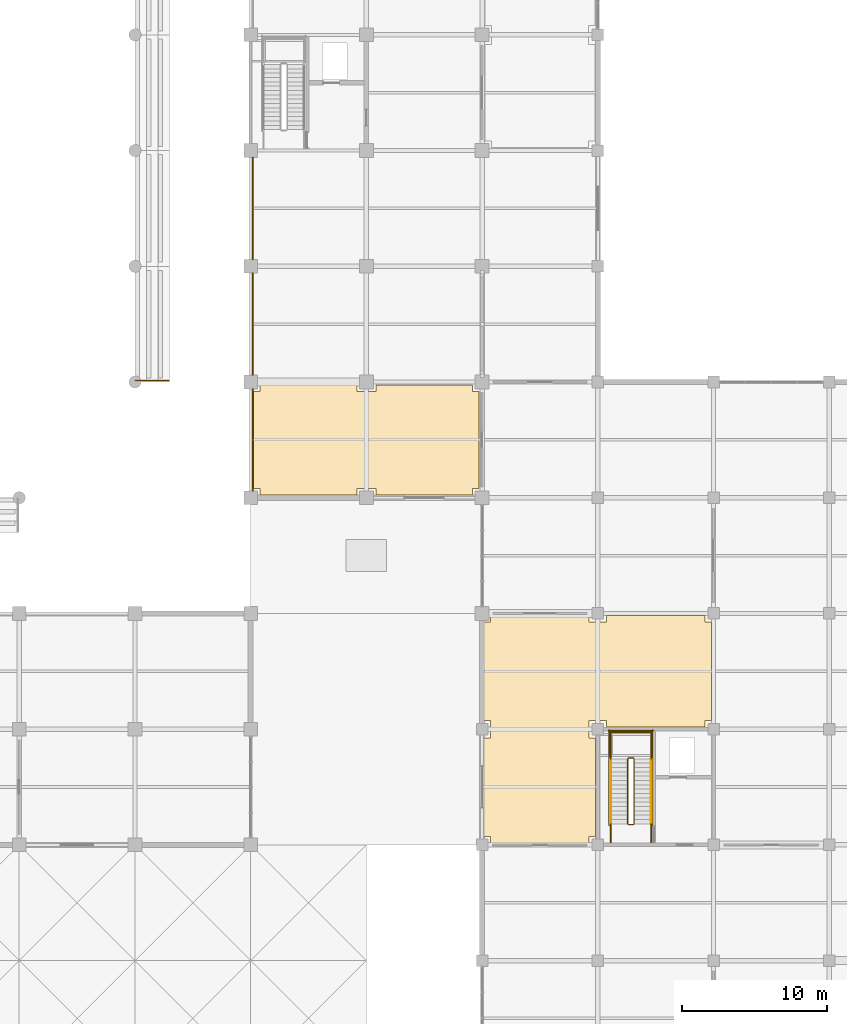
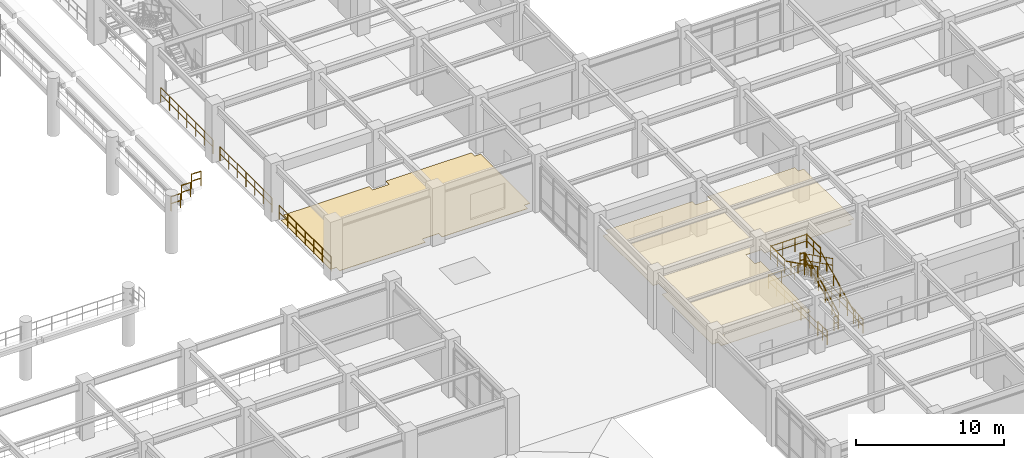
# One storey, part 100 of 109: 20 railings, 2 coverings.
"""IFC4 building model written with IfcOpenShell, lengths in metres."""

import ifcopenshell
import ifcopenshell.guid

model = None  # the IFC model being written
_history = None  # IfcOwnerHistory: only IFC2X3 demands one
_inside = {}  # id of a spatial element -> (the spatial element, [elements in it])
_under = {}  # id of a project, library or spatial element -> (it, [spatial elements below it])
_declared = {}  # id of a project -> (the project, [libraries it declares])
_typed = {}  # id of a type object -> (the type object, [elements of that type])
_made_of = {}  # id of a material, layer set ... -> (it, [elements and type objects made of it])


def new_model(schema):
    """Start an empty IFC model of exactly this schema.

    Asked for "IFC4X3", IfcOpenShell would pick the latest addendum, in which some entities
    have other attributes; the version numbers below select the first issue.
    IFC2X3 requires an IfcOwnerHistory on every rooted entity: one is made here for all.
    """
    global model, _history
    if schema == "IFC4X3":
        model = ifcopenshell.file(schema_version=(4, 3, 0, 0))
    else:
        model = ifcopenshell.file(schema=schema)
    _inside.clear()
    _under.clear()
    _declared.clear()
    _typed.clear()
    _made_of.clear()
    _history = None
    if model.schema == "IFC2X3":
        org = make("IfcOrganization", Name="unknown")
        user = make(
            "IfcPersonAndOrganization",
            ThePerson=make("IfcPerson", FamilyName="unknown"),
            TheOrganization=org,
        )
        app = make(
            "IfcApplication",
            ApplicationDeveloper=org,
            Version="unknown",
            ApplicationFullName="unknown",
            ApplicationIdentifier="unknown",
        )
        _history = make(
            "IfcOwnerHistory",
            OwningUser=user,
            OwningApplication=app,
            ChangeAction="ADDED",
            CreationDate=0,
        )
    return model


def make(cls, **values):
    """One entity of the class cls with the attributes given. An attribute that is None is left unset."""
    return model.create_entity(
        cls, **{name: value for name, value in values.items() if value is not None}
    )


def rooted(cls, **values):
    """An entity with a GlobalId (a new one), such as an element, a storey or a relation."""
    return make(cls, GlobalId=ifcopenshell.guid.new(), OwnerHistory=_history, **values)


def si_unit(unit_type, name, prefix=None):
    """IfcSIUnit, for example si_unit("LENGTHUNIT", "METRE", prefix="MILLI")."""
    return make("IfcSIUnit", UnitType=unit_type, Prefix=prefix, Name=name)


def assignment(units):
    """IfcUnitAssignment: the units of a project."""
    return None if units is None else make("IfcUnitAssignment", Units=units)


def point(xyz):
    """IfcCartesianPoint."""
    return None if xyz is None else make("IfcCartesianPoint", Coordinates=xyz)


def direction(xyz):
    """IfcDirection."""
    return None if xyz is None else make("IfcDirection", DirectionRatios=xyz)


def frame(location, z_axis=None, x_axis=None):
    """IfcAxis2Placement3D, a coordinate frame: its origin and axes. An axis left out is left unset."""
    return make(
        "IfcAxis2Placement3D",
        Location=point(location),
        Axis=direction(z_axis),
        RefDirection=direction(x_axis),
    )


def frame_2d(location, x_axis=None):
    """IfcAxis2Placement2D, a coordinate frame in the plane: its origin and x axis."""
    return make(
        "IfcAxis2Placement2D", Location=point(location), RefDirection=direction(x_axis)
    )


def origin():
    """The frame at (0, 0, 0) with its axes left unset."""
    return frame((0.0, 0.0, 0.0))


def origin_2d():
    """The frame at (0, 0) in the plane with its x axis left unset."""
    return frame_2d((0.0, 0.0))


def place(relative_to, where):
    """IfcLocalPlacement: puts the frame where relative to a parent placement (None: the world)."""
    return make(
        "IfcLocalPlacement", PlacementRelTo=relative_to, RelativePlacement=where
    )


def context(
    kind, dimensions, precision=None, world=None, true_north=None, identifier=None
):
    """IfcGeometricRepresentationContext, for example the 3D "Model" context."""
    return make(
        "IfcGeometricRepresentationContext",
        ContextIdentifier=identifier,
        ContextType=kind,
        CoordinateSpaceDimension=dimensions,
        Precision=precision,
        WorldCoordinateSystem=world,
        TrueNorth=true_north,
    )


def subcontext(parent, identifier, kind, view, scale=None):
    """IfcGeometricRepresentationSubContext, for example "Body" below "Model"."""
    return make(
        "IfcGeometricRepresentationSubContext",
        ContextIdentifier=identifier,
        ContextType=kind,
        ParentContext=parent,
        TargetScale=scale,
        TargetView=view,
    )


def project(units=None, contexts=None):
    """IfcProject with its units and contexts."""
    return rooted(
        "IfcProject",
        Name="project",
        RepresentationContexts=contexts,
        UnitsInContext=assignment(units),
    )


def spatial(cls, under=None, at=None, **own):
    """A site, building, storey or space (cls), placed at a placement, below another one or the project."""
    s = rooted(cls, ObjectPlacement=at, **own)
    if under is not None:
        _under.setdefault(under.id(), (under, []))[1].append(s)
    return s


def polyline(points):
    """IfcPolyline through the points."""
    return make("IfcPolyline", Points=[point(p) for p in points])


def profile(cls, at=None, kind="AREA", **sizes):
    """A parametric profile (cls). Its sizes go by their IFC names, for example OverallWidth=200.0."""
    return make(cls, ProfileType=kind, Position=at, **sizes)


def circle(**sizes):
    """IfcCircleProfileDef."""
    return profile("IfcCircleProfileDef", **sizes)


def outline(outer, holes=None, kind="AREA"):
    """IfcArbitraryClosedProfileDef: a profile drawn as a closed curve; with holes, ...WithVoids."""
    if holes is None:
        return make("IfcArbitraryClosedProfileDef", ProfileType=kind, OuterCurve=outer)
    return make(
        "IfcArbitraryProfileDefWithVoids",
        ProfileType=kind,
        OuterCurve=outer,
        InnerCurves=holes,
    )


def extrude(swept, where, along, depth):
    """IfcExtrudedAreaSolid: the profile swept, set in the frame where, extruded along a direction by depth."""
    return make(
        "IfcExtrudedAreaSolid",
        SweptArea=swept,
        Position=where,
        ExtrudedDirection=direction(along),
        Depth=depth,
    )


def shape(context_of_items, identifier, shape_type, items):
    """IfcShapeRepresentation: the items that make up one representation, for example the "Body"."""
    return make(
        "IfcShapeRepresentation",
        ContextOfItems=context_of_items,
        RepresentationIdentifier=identifier,
        RepresentationType=shape_type,
        Items=items,
    )


def material(Name=None, Category=None):
    """IfcMaterial."""
    return make("IfcMaterial", Name=Name, Category=Category)


def layer(
    of_material, thickness, ventilated=None, Name=None, Category=None, Priority=None
):
    """IfcMaterialLayer: one layer of a wall or slab, of a material (None: an air gap)."""
    return make(
        "IfcMaterialLayer",
        Material=of_material,
        LayerThickness=thickness,
        IsVentilated=ventilated,
        Name=Name,
        Category=Category,
        Priority=Priority,
    )


def layer_set(layers, Name=None):
    """IfcMaterialLayerSet."""
    return make("IfcMaterialLayerSet", MaterialLayers=layers, LayerSetName=Name)


def made_of(thing, what):
    """Note that an element or type object is made of a material, layer set ...; save() writes the relation."""
    if what is not None:
        _made_of.setdefault(what.id(), (what, []))[1].append(thing)
    return thing


def type_object(cls, material=None, **own):
    """A type object (cls), such as IfcWallType, which elements share."""
    return made_of(rooted(cls, **own), material)


def element(
    cls,
    number,
    at=None,
    inside=None,
    cuts=None,
    type_object=None,
    material=None,
    context=None,
    identifier="Body",
    shape_type=None,
    held_by="IfcProductDefinitionShape",
    body=None,
    shapes=None,
    **own,
):
    """One element of the class cls, such as IfcWall. Its Tag is "e" and its number.

    at: its placement. inside: the storey or other place that contains it. cuts: it is an
    opening in that element (IfcRelVoidsElement). A single representation is given by context,
    identifier, shape_type and body (its items); several are given by shapes. held_by: the class
    of the entity that holds the representations. save() writes the other relations.
    """
    e = rooted(cls, Tag="e%d" % number, ObjectPlacement=at, **own)
    if body is not None:
        shapes = [shape(context, identifier, shape_type, body)]
    if shapes is not None:
        e.Representation = make(held_by, Representations=shapes)
    if inside is not None:
        _inside.setdefault(inside.id(), (inside, []))[1].append(e)
    if cuts is not None:
        rooted(
            "IfcRelVoidsElement", RelatingBuildingElement=cuts, RelatedOpeningElement=e
        )
    if type_object is not None:
        _typed.setdefault(type_object.id(), (type_object, []))[1].append(e)
    return made_of(e, material)


def aggregate(whole, parts):
    """IfcRelAggregates: a whole, such as a stair, and the parts it consists of."""
    return rooted("IfcRelAggregates", RelatingObject=whole, RelatedObjects=parts)


def save(model, path):
    """Write the relations noted so far, then the file.

    IfcRelAggregates (storeys below a building ...), IfcRelContainedInSpatialStructure (elements
    in a storey), IfcRelDefinesByType, IfcRelAssociatesMaterial and IfcRelDeclares: one each for
    every whole, place, type object, material and project.
    """
    for whole, parts in _under.values():
        aggregate(whole, parts)
    for where, things in _inside.values():
        rooted(
            "IfcRelContainedInSpatialStructure",
            RelatedElements=things,
            RelatingStructure=where,
        )
    for kind, things in _typed.values():
        rooted("IfcRelDefinesByType", RelatedObjects=things, RelatingType=kind)
    for what, things in _made_of.values():
        rooted("IfcRelAssociatesMaterial", RelatedObjects=things, RelatingMaterial=what)
    for by, libraries in _declared.values():
        rooted("IfcRelDeclares", RelatingContext=by, RelatedDefinitions=libraries)
    model.write(path)


model = new_model("IFC4")

# Units and contexts
model_context = context("Model", 3, precision=1e-05, world=origin(), true_north=direction((0.0, 1.0)))
body_context = subcontext(model_context, "Body", "Model", "MODEL_VIEW")
ifc_project = project(units=[si_unit("LENGTHUNIT", "METRE"), si_unit("AREAUNIT", "SQUARE_METRE"), si_unit("VOLUMEUNIT", "CUBIC_METRE"), si_unit("PLANEANGLEUNIT", "RADIAN"), si_unit("MASSUNIT", "GRAM", prefix="KILO")], contexts=[model_context])

# Site, building, storey
site_placement = place(None, origin())
site = spatial("IfcSite", under=ifc_project, at=site_placement, CompositionType="ELEMENT")
building_placement = place(site_placement, origin())
building = spatial("IfcBuilding", under=site, at=building_placement, Name="Haebicheon Civic Stadium", CompositionType="ELEMENT")
storey_placement = place(building_placement, frame((0.0, 0.0, 9.60009765625)))
storey = spatial("IfcBuildingStorey", under=building, at=storey_placement, Name="L03", CompositionType="ELEMENT", Elevation=9.60009765625)

# Coverings
ifc_material_1 = material(Name="Perforated mineral-fibre acoustic board", Category="gypsum")
ifc_layer_1 = layer(ifc_material_1, 0.0400390625, Name="Perforated mineral-fibre acoustic board")
ifc_layer_set_1 = layer_set([ifc_layer_1], Name="Perforated mineral-fibre acoustic board")
covering_type_1 = type_object("IfcCoveringType", Name="COV-CLG-AC", PredefinedType="CEILING", material=ifc_layer_set_1)
covering_1_placement = place(storey_placement, frame((0.0, 0.0, 2.809814453125)))
element("IfcCovering", 1, at=covering_1_placement, inside=storey, type_object=covering_type_1, material=ifc_layer_set_1, Name="L03 Civic Banquet Hall acoustic ceiling", PredefinedType="CEILING", context=body_context, shape_type="SweptSolid", body=[
    extrude(outline(polyline([(160.594970703125, 16.14501953125), (160.594970703125, 16.594970703125), (160.14501953125, 16.594970703125), (160.14501953125, 23.405029296875), (160.594970703125, 23.405029296875), (160.594970703125, 24.594970703125), (160.14501953125, 24.594970703125), (160.14501953125, 31.405029296875), (160.594970703125, 31.405029296875), (160.594970703125, 31.85498046875), (167.405029296875, 31.85498046875), (167.405029296875, 31.405029296875), (168.594970703125, 31.405029296875), (168.594970703125, 31.85498046875), (175.405029296875, 31.85498046875), (175.405029296875, 31.405029296875), (175.85498046875, 31.405029296875), (175.85498046875, 24.594970703125), (175.405029296875, 24.594970703125), (175.405029296875, 24.14501953125), (168.594970703125, 24.14501953125), (168.594970703125, 24.594970703125), (167.405029296875, 24.594970703125), (167.405029296875, 23.405029296875), (167.85498046875, 23.405029296875), (167.85498046875, 16.594970703125), (167.405029296875, 16.594970703125), (167.405029296875, 16.14501953125), (160.594970703125, 16.14501953125)])), origin(), (0.0, 0.0, 1.0), 0.0400390625),
])
ifc_material_2 = material(Name="Quartz epoxy resin mortar", Category="concrete")
ifc_layer_2 = layer(ifc_material_2, 0.030029296875, Name="Quartz epoxy resin mortar")
ifc_layer_set_2 = layer_set([ifc_layer_2], Name="Quartz epoxy resin mortar")
covering_type_2 = type_object("IfcCoveringType", Name="COV-FLR-EPX", PredefinedType="FLOORING", material=ifc_layer_set_2)
covering_2_placement = place(storey_placement, origin())
element("IfcCovering", 2, at=covering_2_placement, inside=storey, type_object=covering_type_2, material=ifc_layer_set_2, Name="L03 East Bowl Club Concourse non-slip floor finish", PredefinedType="FLOORING", context=body_context, shape_type="SweptSolid", body=[
    extrude(outline(polyline([(144.199951171875, 47.35009765625), (144.64990234375, 47.35009765625), (144.64990234375, 47.800048828125), (151.35009765625, 47.800048828125), (151.35009765625, 47.35009765625), (152.64990234375, 47.35009765625), (152.64990234375, 47.800048828125), (159.35009765625, 47.800048828125), (159.35009765625, 47.35009765625), (159.800048828125, 47.35009765625), (159.800048828125, 40.64990234375), (159.35009765625, 40.64990234375), (159.35009765625, 40.199951171875), (152.64990234375, 40.199951171875), (152.64990234375, 40.64990234375), (151.35009765625, 40.64990234375), (151.35009765625, 40.199951171875), (144.64990234375, 40.199951171875), (144.64990234375, 40.64990234375), (144.199951171875, 40.64990234375), (144.199951171875, 47.35009765625)])), origin(), (0.0, 0.0, 1.0), 0.02978515625),
])

# Railings
ifc_material_3 = material(Name="Stainless steel 316 and laminated glass", Category="steel")
railing_type_1 = type_object("IfcRailingType", Name="RL-BAL-1200", PredefinedType="BALUSTRADE", material=ifc_material_3)
for number, where, name in (
    (3, (144.139892578125, 40.47509765625, 0.0), "L03 concourse bowl-edge balustrade 071"),
    (4, (144.139892578125, 48.47509765625, 0.0), "L03 concourse bowl-edge balustrade 072"),
    (5, (144.139892578125, 56.47509765625, 0.0), "L03 concourse bowl-edge balustrade 073"),
):
    element("IfcRailing", number, at=place(storey_placement, frame(where)), inside=storey, type_object=railing_type_1, material=ifc_material_3, Name=name, PredefinedType="BALUSTRADE", context=body_context, shape_type="SweptSolid", body=[
        extrude(circle(Radius=0.02392578125, at=origin_2d()), frame((0.0, 0.0, 1.17578125), z_axis=(0.0, 1.0, 0.0), x_axis=(-1.0, 0.0, 0.0)), (0.0, 0.0, 1.0), 7.0498046875),
        extrude(circle(Radius=0.02392578125, at=origin_2d()), frame((0.0, 0.0, 0.60009765625), z_axis=(0.0, 1.0, 0.0), x_axis=(-1.0, 0.0, 0.0)), (0.0, 0.0, 1.0), 7.0498046875),
        extrude(circle(Radius=0.02099609375, at=origin_2d()), origin(), (0.0, 0.0, 1.0), 1.15185546875),
        extrude(circle(Radius=0.02099609375, at=origin_2d()), frame((0.0, 1.175048828125, 0.0)), (0.0, 0.0, 1.0), 1.15185546875),
        extrude(circle(Radius=0.02099609375, at=origin_2d()), frame((0.0, 2.349853515625, 0.0)), (0.0, 0.0, 1.0), 1.15185546875),
        extrude(circle(Radius=0.02099609375, at=origin_2d()), frame((0.0, 3.52490234375, 0.0)), (0.0, 0.0, 1.0), 1.15185546875),
        extrude(circle(Radius=0.02099609375, at=origin_2d()), frame((0.0, 4.699951171875, 0.0)), (0.0, 0.0, 1.0), 1.15185546875),
        extrude(circle(Radius=0.02099609375, at=origin_2d()), frame((0.0, 5.874755859375, 0.0)), (0.0, 0.0, 1.0), 1.15185546875),
        extrude(circle(Radius=0.02099609375, at=origin_2d()), frame((0.0, 7.0498046875, 0.0)), (0.0, 0.0, 1.0), 1.15185546875),
    ])
for number, where, name in (
    (6, (136.0400390625, 48.10009765625, 3.199951171875), "TIER-E-U end-aisle side guard S.1"),
    (7, (136.840087890625, 48.10009765625, 3.843994140625), "TIER-E-U end-aisle side guard S.2"),
):
    element("IfcRailing", number, at=place(storey_placement, frame(where)), inside=storey, type_object=railing_type_1, material=ifc_material_3, Name=name, PredefinedType="BALUSTRADE", context=body_context, shape_type="SweptSolid", body=[
        extrude(circle(Radius=0.02392578125, at=origin_2d()), frame((0.0, 0.0, 1.17578125), z_axis=(1.0, 0.0, 0.0), x_axis=(0.0, 1.0, 0.0)), (0.0, 0.0, 1.0), 0.719970703125),
        extrude(circle(Radius=0.02392578125, at=origin_2d()), frame((0.0, 0.0, 0.60009765625), z_axis=(1.0, 0.0, 0.0), x_axis=(0.0, 1.0, 0.0)), (0.0, 0.0, 1.0), 0.719970703125),
        extrude(circle(Radius=0.02099609375, at=origin_2d()), origin(), (0.0, 0.0, 1.0), 1.15185546875),
        extrude(circle(Radius=0.02099609375, at=origin_2d()), frame((0.719970703125, 0.0, 0.0)), (0.0, 0.0, 1.0), 1.15185546875),
    ])
railing_1_placement = place(storey_placement, frame((137.639892578125, 48.10009765625, 4.489013671875)))
element("IfcRailing", 8, at=railing_1_placement, inside=storey, type_object=railing_type_1, material=ifc_material_3, Name="TIER-E-U end-aisle side guard S.3", PredefinedType="BALUSTRADE", context=body_context, shape_type="SweptSolid", body=[
    extrude(circle(Radius=0.02392578125, at=origin_2d()), frame((0.0, 0.0, 1.17578125), z_axis=(1.0, 0.0, 0.0), x_axis=(0.0, 1.0, 0.0)), (0.0, 0.0, 1.0), 0.72021484375),
    extrude(circle(Radius=0.02392578125, at=origin_2d()), frame((0.0, 0.0, 0.60009765625), z_axis=(1.0, 0.0, 0.0), x_axis=(0.0, 1.0, 0.0)), (0.0, 0.0, 1.0), 0.72021484375),
    extrude(circle(Radius=0.02099609375, at=origin_2d()), origin(), (0.0, 0.0, 1.0), 1.15185546875),
    extrude(circle(Radius=0.02099609375, at=origin_2d()), frame((0.72021484375, 0.0, 0.0)), (0.0, 0.0, 1.0), 1.15185546875),
])
ifc_material_4 = material(Name="Galvanised painted steel SM355", Category="steel")
railing_type_2 = type_object("IfcRailingType", Name="RL-GRD-1150", PredefinedType="GUARDRAIL", material=ifc_material_4)
railing_2_placement = place(storey_placement, frame((170.510009765625, 17.449951171875, 0.14990234375)))
element("IfcRailing", 9, at=railing_2_placement, inside=storey, type_object=railing_type_2, material=ifc_material_4, Name="L03 ST-14 stair guard 1", PredefinedType="GUARDRAIL", context=body_context, shape_type="SweptSolid", body=[
    extrude(circle(Radius=0.02392578125, at=origin_2d()), frame((0.0, 0.0, 1.1259765625), z_axis=(0.0, 0.894427191, 0.4472135955), x_axis=(-1.0, 0.0, 0.0)), (0.0, 0.0, 1.0), 5.03125),
    extrude(circle(Radius=0.02392578125, at=origin_2d()), frame((0.0, 0.0, 0.574951171875), z_axis=(0.0, 0.894427191, 0.4472135955), x_axis=(-1.0, 0.0, 0.0)), (0.0, 0.0, 1.0), 5.03125),
    extrude(circle(Radius=0.02099609375, at=origin_2d()), origin(), (0.0, 0.0, 1.0), 1.101806640625),
    extrude(circle(Radius=0.02099609375, at=origin_2d()), frame((0.0, 0.89990234375, 0.449951171875)), (0.0, 0.0, 1.0), 1.101806640625),
    extrude(circle(Radius=0.02099609375, at=origin_2d()), frame((0.0, 1.800048828125, 0.89990234375)), (0.0, 0.0, 1.0), 1.101806640625),
    extrude(circle(Radius=0.02099609375, at=origin_2d()), frame((0.0, 2.699951171875, 1.35009765625)), (0.0, 0.0, 1.0), 1.101806640625),
    extrude(circle(Radius=0.02099609375, at=origin_2d()), frame((0.0, 3.60009765625, 1.800048828125)), (0.0, 0.0, 1.0), 1.101806640625),
    extrude(circle(Radius=0.02099609375, at=origin_2d()), frame((0.0, 4.5, 2.25)), (0.0, 0.0, 1.0), 1.101806640625),
])
railing_3_placement = place(storey_placement, frame((170.4599609375, 22.0, 2.39990234375)))
element("IfcRailing", 10, at=railing_3_placement, inside=storey, type_object=railing_type_2, material=ifc_material_4, Name="L03 ST-14 stair guard 2", PredefinedType="GUARDRAIL", context=body_context, shape_type="SweptSolid", body=[
    extrude(circle(Radius=0.02392578125, at=origin_2d()), frame((0.0, 0.0, 1.1259765625), z_axis=(-1.0, 0.0, 0.0), x_axis=(0.0, -1.0, 0.0)), (0.0, 0.0, 1.0), 0.33984375),
    extrude(circle(Radius=0.02392578125, at=origin_2d()), frame((0.0, 0.0, 0.574951171875), z_axis=(-1.0, 0.0, 0.0), x_axis=(0.0, -1.0, 0.0)), (0.0, 0.0, 1.0), 0.33984375),
    extrude(circle(Radius=0.02099609375, at=origin_2d()), origin(), (0.0, 0.0, 1.0), 1.101806640625),
    extrude(circle(Radius=0.02099609375, at=origin_2d()), frame((-0.33984375, 0.0, 0.0)), (0.0, 0.0, 1.0), 1.101806640625),
])
for number, where, name in (
    (11, (171.68994140625, 21.949951171875, 2.39990234375), "L03 ST-14 stair guard 3"),
    (12, (168.889892578125, 21.949951171875, 2.39990234375), "L03 ST-14 stair guard 4"),
):
    element("IfcRailing", number, at=place(storey_placement, frame(where)), inside=storey, type_object=railing_type_2, material=ifc_material_4, Name=name, PredefinedType="GUARDRAIL", context=body_context, shape_type="SweptSolid", body=[
        extrude(circle(Radius=0.02392578125, at=origin_2d()), frame((0.0, 0.0, 1.1259765625), z_axis=(0.0, 1.0, 0.0), x_axis=(-1.0, 0.0, 0.0)), (0.0, 0.0, 1.0), 1.89013671875),
        extrude(circle(Radius=0.02392578125, at=origin_2d()), frame((0.0, 0.0, 0.574951171875), z_axis=(0.0, 1.0, 0.0), x_axis=(-1.0, 0.0, 0.0)), (0.0, 0.0, 1.0), 1.89013671875),
        extrude(circle(Radius=0.02099609375, at=origin_2d()), origin(), (0.0, 0.0, 1.0), 1.101806640625),
        extrude(circle(Radius=0.02099609375, at=origin_2d()), frame((0.0, 0.945068359375, 0.0)), (0.0, 0.0, 1.0), 1.101806640625),
        extrude(circle(Radius=0.02099609375, at=origin_2d()), frame((0.0, 1.89013671875, 0.0)), (0.0, 0.0, 1.0), 1.101806640625),
    ])
railing_4_placement = place(storey_placement, frame((171.739990234375, 23.7900390625, 2.39990234375)))
element("IfcRailing", 13, at=railing_4_placement, inside=storey, type_object=railing_type_2, material=ifc_material_4, Name="L03 ST-14 stair guard 5", PredefinedType="GUARDRAIL", context=body_context, shape_type="SweptSolid", body=[
    extrude(circle(Radius=0.02392578125, at=origin_2d()), frame((0.0, 0.0, 1.1259765625), z_axis=(-1.0, 0.0, 0.0), x_axis=(0.0, -1.0, 0.0)), (0.0, 0.0, 1.0), 2.89990234375),
    extrude(circle(Radius=0.02392578125, at=origin_2d()), frame((0.0, 0.0, 0.574951171875), z_axis=(-1.0, 0.0, 0.0), x_axis=(0.0, -1.0, 0.0)), (0.0, 0.0, 1.0), 2.89990234375),
    extrude(circle(Radius=0.02099609375, at=origin_2d()), origin(), (0.0, 0.0, 1.0), 1.101806640625),
    extrude(circle(Radius=0.02099609375, at=origin_2d()), frame((-0.966552734375, 0.0, 0.0)), (0.0, 0.0, 1.0), 1.101806640625),
    extrude(circle(Radius=0.02099609375, at=origin_2d()), frame((-1.933349609375, 0.0, 0.0)), (0.0, 0.0, 1.0), 1.101806640625),
    extrude(circle(Radius=0.02099609375, at=origin_2d()), frame((-2.89990234375, 0.0, 0.0)), (0.0, 0.0, 1.0), 1.101806640625),
])
railing_5_placement = place(storey_placement, frame((170.070068359375, 21.949951171875, 2.5498046875)))
element("IfcRailing", 14, at=railing_5_placement, inside=storey, type_object=railing_type_2, material=ifc_material_4, Name="L03 ST-14 stair guard 6", PredefinedType="GUARDRAIL", context=body_context, shape_type="SweptSolid", body=[
    extrude(circle(Radius=0.02392578125, at=origin_2d()), frame((0.0, 0.0, 1.1259765625), z_axis=(0.0, -0.894427191, 0.4472135955), x_axis=(1.0, 0.0, 0.0)), (0.0, 0.0, 1.0), 5.03125),
    extrude(circle(Radius=0.02392578125, at=origin_2d()), frame((0.0, 0.0, 0.574951171875), z_axis=(0.0, -0.894427191, 0.4472135955), x_axis=(1.0, 0.0, 0.0)), (0.0, 0.0, 1.0), 5.03125),
    extrude(circle(Radius=0.02099609375, at=origin_2d()), origin(), (0.0, 0.0, 1.0), 1.101806640625),
    extrude(circle(Radius=0.02099609375, at=origin_2d()), frame((0.0, -0.89990234375, 0.449951171875)), (0.0, 0.0, 1.0), 1.101806640625),
    extrude(circle(Radius=0.02099609375, at=origin_2d()), frame((0.0, -1.800048828125, 0.89990234375)), (0.0, 0.0, 1.0), 1.101806640625),
    extrude(circle(Radius=0.02099609375, at=origin_2d()), frame((0.0, -2.699951171875, 1.35009765625)), (0.0, 0.0, 1.0), 1.101806640625),
    extrude(circle(Radius=0.02099609375, at=origin_2d()), frame((0.0, -3.60009765625, 1.800048828125)), (0.0, 0.0, 1.0), 1.101806640625),
    extrude(circle(Radius=0.02099609375, at=origin_2d()), frame((0.0, -4.5, 2.25)), (0.0, 0.0, 1.0), 1.101806640625),
])
railing_6_placement = place(storey_placement, frame((170.4599609375, 17.39990234375, 0.0)))
element("IfcRailing", 15, at=railing_6_placement, inside=storey, type_object=railing_type_2, material=ifc_material_4, Name="L03 ST-14 stair guard 7", PredefinedType="GUARDRAIL", context=body_context, shape_type="SweptSolid", body=[
    extrude(circle(Radius=0.02392578125, at=origin_2d()), frame((0.0, 0.0, 1.1259765625), z_axis=(-1.0, 0.0, 0.0), x_axis=(0.0, -1.0, 0.0)), (0.0, 0.0, 1.0), 0.33984375),
    extrude(circle(Radius=0.02392578125, at=origin_2d()), frame((0.0, 0.0, 0.574951171875), z_axis=(-1.0, 0.0, 0.0), x_axis=(0.0, -1.0, 0.0)), (0.0, 0.0, 1.0), 0.33984375),
    extrude(circle(Radius=0.02099609375, at=origin_2d()), origin(), (0.0, 0.0, 1.0), 1.101806640625),
    extrude(circle(Radius=0.02099609375, at=origin_2d()), frame((-0.33984375, 0.0, 0.0)), (0.0, 0.0, 1.0), 1.101806640625),
])
for number, where, name in (
    (16, (171.68994140625, 16.159912109375, 0.0), "L03 ST-14 stair guard 8"),
    (17, (168.889892578125, 16.159912109375, 0.0), "L03 ST-14 stair guard 9"),
):
    element("IfcRailing", number, at=place(storey_placement, frame(where)), inside=storey, type_object=railing_type_2, material=ifc_material_4, Name=name, PredefinedType="GUARDRAIL", context=body_context, shape_type="SweptSolid", body=[
        extrude(circle(Radius=0.02392578125, at=origin_2d()), frame((0.0, 0.0, 1.1259765625), z_axis=(0.0, 1.0, 0.0), x_axis=(-1.0, 0.0, 0.0)), (0.0, 0.0, 1.0), 1.2900390625),
        extrude(circle(Radius=0.02392578125, at=origin_2d()), frame((0.0, 0.0, 0.574951171875), z_axis=(0.0, 1.0, 0.0), x_axis=(-1.0, 0.0, 0.0)), (0.0, 0.0, 1.0), 1.2900390625),
        extrude(circle(Radius=0.02099609375, at=origin_2d()), origin(), (0.0, 0.0, 1.0), 1.101806640625),
        extrude(circle(Radius=0.02099609375, at=origin_2d()), frame((0.0, 0.64501953125, 0.0)), (0.0, 0.0, 1.0), 1.101806640625),
        extrude(circle(Radius=0.02099609375, at=origin_2d()), frame((0.0, 1.2900390625, 0.0)), (0.0, 0.0, 1.0), 1.101806640625),
    ])
for number, where, name in (
    (18, (171.7900390625, 17.35009765625, 0.0), "L03 ST-14 stair guard 10"),
    (19, (168.7900390625, 17.35009765625, 0.0), "L03 ST-14 stair guard 11"),
):
    element("IfcRailing", number, at=place(storey_placement, frame(where)), inside=storey, type_object=railing_type_2, material=ifc_material_4, Name=name, PredefinedType="GUARDRAIL", context=body_context, shape_type="SweptSolid", body=[
        extrude(circle(Radius=0.02392578125, at=origin_2d()), frame((0.0, 0.0, 1.1259765625), z_axis=(0.0, 1.0, 0.0), x_axis=(-1.0, 0.0, 0.0)), (0.0, 0.0, 1.0), 6.58984375),
        extrude(circle(Radius=0.02392578125, at=origin_2d()), frame((0.0, 0.0, 0.574951171875), z_axis=(0.0, 1.0, 0.0), x_axis=(-1.0, 0.0, 0.0)), (0.0, 0.0, 1.0), 6.58984375),
        extrude(circle(Radius=0.02099609375, at=origin_2d()), origin(), (0.0, 0.0, 1.0), 1.101806640625),
        extrude(circle(Radius=0.02099609375, at=origin_2d()), frame((0.0, 1.098388671875, 0.0)), (0.0, 0.0, 1.0), 1.101806640625),
        extrude(circle(Radius=0.02099609375, at=origin_2d()), frame((0.0, 2.196533203125, 0.0)), (0.0, 0.0, 1.0), 1.101806640625),
        extrude(circle(Radius=0.02099609375, at=origin_2d()), frame((0.0, 3.294921875, 0.0)), (0.0, 0.0, 1.0), 1.101806640625),
        extrude(circle(Radius=0.02099609375, at=origin_2d()), frame((0.0, 4.393310546875, 0.0)), (0.0, 0.0, 1.0), 1.101806640625),
        extrude(circle(Radius=0.02099609375, at=origin_2d()), frame((0.0, 5.491455078125, 0.0)), (0.0, 0.0, 1.0), 1.101806640625),
        extrude(circle(Radius=0.02099609375, at=origin_2d()), frame((0.0, 6.58984375, 0.0)), (0.0, 0.0, 1.0), 1.101806640625),
    ])
railing_7_placement = place(storey_placement, frame((171.840087890625, 23.889892578125, 0.0)))
element("IfcRailing", 20, at=railing_7_placement, inside=storey, type_object=railing_type_2, material=ifc_material_4, Name="L03 ST-14 stair guard 12", PredefinedType="GUARDRAIL", context=body_context, shape_type="SweptSolid", body=[
    extrude(circle(Radius=0.02392578125, at=origin_2d()), frame((0.0, 0.0, 1.1259765625), z_axis=(-1.0, 0.0, 0.0), x_axis=(0.0, -1.0, 0.0)), (0.0, 0.0, 1.0), 3.10009765625),
    extrude(circle(Radius=0.02392578125, at=origin_2d()), frame((0.0, 0.0, 0.574951171875), z_axis=(-1.0, 0.0, 0.0), x_axis=(0.0, -1.0, 0.0)), (0.0, 0.0, 1.0), 3.10009765625),
    extrude(circle(Radius=0.02099609375, at=origin_2d()), origin(), (0.0, 0.0, 1.0), 1.101806640625),
    extrude(circle(Radius=0.02099609375, at=origin_2d()), frame((-1.033447265625, 0.0, 0.0)), (0.0, 0.0, 1.0), 1.101806640625),
    extrude(circle(Radius=0.02099609375, at=origin_2d()), frame((-2.066650390625, 0.0, 0.0)), (0.0, 0.0, 1.0), 1.101806640625),
    extrude(circle(Radius=0.02099609375, at=origin_2d()), frame((-3.10009765625, 0.0, 0.0)), (0.0, 0.0, 1.0), 1.101806640625),
])
ifc_material_5 = material(Name="Stainless steel 316", Category="steel")
railing_type_3 = type_object("IfcRailingType", Name="RL-HND-900", PredefinedType="HANDRAIL", material=ifc_material_5)
railing_8_placement = place(storey_placement, frame((171.68994140625, 17.449951171875, 0.14990234375)))
element("IfcRailing", 21, at=railing_8_placement, inside=storey, type_object=railing_type_3, material=ifc_material_5, Name="L03 ST-14 stair handrail 1", PredefinedType="HANDRAIL", context=body_context, shape_type="SweptSolid", body=[
    extrude(circle(Radius=0.02392578125, at=origin_2d()), frame((0.0, 0.0, 0.8759765625), z_axis=(0.0, 0.894427191, 0.4472135955), x_axis=(-1.0, 0.0, 0.0)), (0.0, 0.0, 1.0), 5.03125),
    extrude(circle(Radius=0.02099609375, at=origin_2d()), origin(), (0.0, 0.0, 1.0), 0.851806640625),
    extrude(circle(Radius=0.02099609375, at=origin_2d()), frame((0.0, 0.89990234375, 0.449951171875)), (0.0, 0.0, 1.0), 0.851806640625),
    extrude(circle(Radius=0.02099609375, at=origin_2d()), frame((0.0, 1.800048828125, 0.89990234375)), (0.0, 0.0, 1.0), 0.851806640625),
    extrude(circle(Radius=0.02099609375, at=origin_2d()), frame((0.0, 2.699951171875, 1.35009765625)), (0.0, 0.0, 1.0), 0.851806640625),
    extrude(circle(Radius=0.02099609375, at=origin_2d()), frame((0.0, 3.60009765625, 1.800048828125)), (0.0, 0.0, 1.0), 0.851806640625),
    extrude(circle(Radius=0.02099609375, at=origin_2d()), frame((0.0, 4.5, 2.25)), (0.0, 0.0, 1.0), 0.851806640625),
])
railing_9_placement = place(storey_placement, frame((168.889892578125, 21.949951171875, 2.5498046875)))
element("IfcRailing", 22, at=railing_9_placement, inside=storey, type_object=railing_type_3, material=ifc_material_5, Name="L03 ST-14 stair handrail 2", PredefinedType="HANDRAIL", context=body_context, shape_type="SweptSolid", body=[
    extrude(circle(Radius=0.02392578125, at=origin_2d()), frame((0.0, 0.0, 0.8759765625), z_axis=(0.0, -0.894427191, 0.4472135955), x_axis=(1.0, 0.0, 0.0)), (0.0, 0.0, 1.0), 5.03125),
    extrude(circle(Radius=0.02099609375, at=origin_2d()), origin(), (0.0, 0.0, 1.0), 0.851806640625),
    extrude(circle(Radius=0.02099609375, at=origin_2d()), frame((0.0, -0.89990234375, 0.449951171875)), (0.0, 0.0, 1.0), 0.851806640625),
    extrude(circle(Radius=0.02099609375, at=origin_2d()), frame((0.0, -1.800048828125, 0.89990234375)), (0.0, 0.0, 1.0), 0.851806640625),
    extrude(circle(Radius=0.02099609375, at=origin_2d()), frame((0.0, -2.699951171875, 1.35009765625)), (0.0, 0.0, 1.0), 0.851806640625),
    extrude(circle(Radius=0.02099609375, at=origin_2d()), frame((0.0, -3.60009765625, 1.800048828125)), (0.0, 0.0, 1.0), 0.851806640625),
    extrude(circle(Radius=0.02099609375, at=origin_2d()), frame((0.0, -4.5, 2.25)), (0.0, 0.0, 1.0), 0.851806640625),
])

save(model, "model.ifc")
